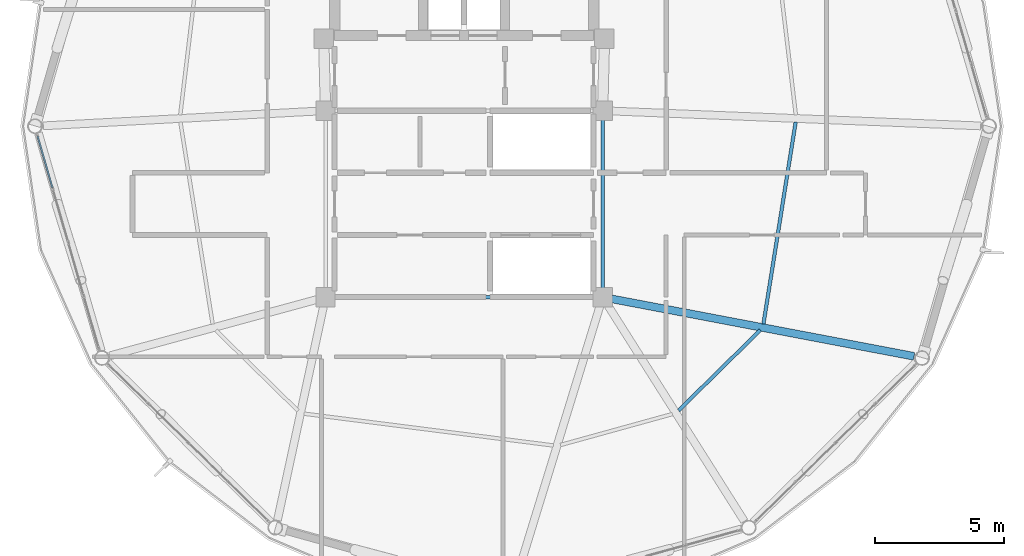
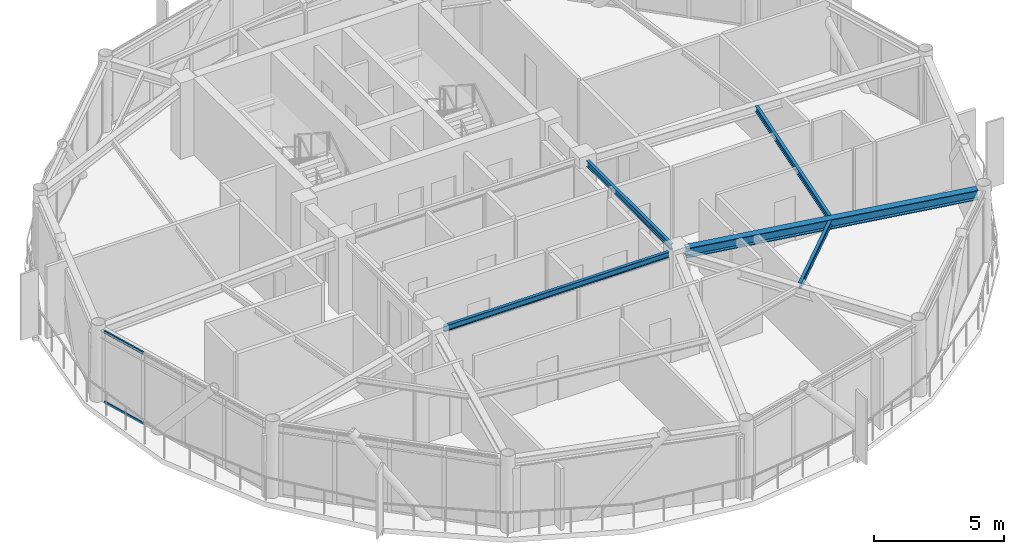
# One storey, part 9 of 25: 5 beams, 2 members, 1 element without a shape of its own.
"""IFC4 building model written with IfcOpenShell, lengths in metres."""

from ifc_helpers import new_model, si_unit, direction, frame, origin, origin_2d, place, context, subcontext, project, spatial, hollow_rectangle, i_section, extrude, material, layer, layer_set, material_profile, profile_set, type_object, element, aggregate, save


model = new_model("IFC4")

# Units and contexts
model_context = context("Model", 3, precision=1e-05, world=origin(), true_north=direction((0.0, 1.0)))
body_context = subcontext(model_context, "Body", "Model", "MODEL_VIEW")
ifc_project = project(units=[si_unit("LENGTHUNIT", "METRE"), si_unit("AREAUNIT", "SQUARE_METRE"), si_unit("VOLUMEUNIT", "CUBIC_METRE"), si_unit("PLANEANGLEUNIT", "RADIAN"), si_unit("MASSUNIT", "GRAM", prefix="KILO")], contexts=[model_context])

# Site, building, storey
site_placement = place(None, origin())
site = spatial("IfcSite", under=ifc_project, at=site_placement, CompositionType="ELEMENT")
building_placement = place(site_placement, origin())
building = spatial("IfcBuilding", under=site, at=building_placement, Name="Varnakorn Sky Granary", CompositionType="ELEMENT")
storey_placement = place(building_placement, frame((0.0, 0.0, 252.60009765625)))
storey = spatial("IfcBuildingStorey", under=building, at=storey_placement, Name="L64", CompositionType="ELEMENT", Elevation=252.60009765625)

# Beams
ifc_material_1 = material(Name="Steel S355JR", Category="steel")
ifc_material_profile_1 = material_profile(ifc_material_1, i_section(OverallWidth=0.300048828125, OverallDepth=0.449951171875, WebThickness=0.013916015625, FlangeThickness=0.02587890625, at=origin_2d()), Name="HE 450 B")
ifc_profile_set_1 = profile_set([ifc_material_profile_1], Name="Steel S355JR")
beam_type_1 = type_object("IfcBeamType", Name="BM-RAD-Z5", PredefinedType="BEAM", material=ifc_profile_set_1)
beam_1_placement = place(storey_placement, frame((8.69873046875, -6.666259765625, 3.135009765625), z_axis=(0.982408625355, -0.186743923138, 0.0), x_axis=(0.186743923138, 0.982408625355, 0.0)))
element("IfcBeam", 1, at=beam_1_placement, inside=storey, type_object=beam_type_1, Name="Radial Floor Girder RG12 L64", PredefinedType="BEAM", context=body_context, shape_type="SweptSolid", body=[
    extrude(i_section(OverallWidth=0.300048828125, OverallDepth=0.449951171875, WebThickness=0.013916015625, FlangeThickness=0.02587890625, at=origin_2d()), origin(), (0.0, 0.0, 1.0), 11.8837890625),
])
ifc_material_profile_2 = material_profile(ifc_material_1, i_section(OverallWidth=0.135009765625, OverallDepth=0.27001953125, WebThickness=0.006591796875, FlangeThickness=0.01025390625, at=origin_2d()), Name="IPE 270")
ifc_profile_set_2 = profile_set([ifc_material_profile_2], Name="Steel S355JR")
beam_type_2 = type_object("IfcBeamType", Name="BM-SEC-Z5", PredefinedType="BEAM", material=ifc_profile_set_2)
beam_2_placement = place(storey_placement, frame((11.2802734375, -10.97802734375, 3.224853515625), z_axis=(0.712956124253, 0.701208645761, 0.0), x_axis=(-0.701208645761, 0.712956124253, 0.0)))
element("IfcBeam", 2, at=beam_2_placement, inside=storey, type_object=beam_type_2, Name="Secondary Floor Chord Beam MSB11 L64", PredefinedType="BEAM", context=body_context, shape_type="SweptSolid", body=[
    extrude(i_section(OverallWidth=0.135009765625, OverallDepth=0.27001953125, WebThickness=0.006591796875, FlangeThickness=0.01025390625, at=origin_2d()), origin(), (0.0, 0.0, 1.0), 4.4267578125),
])
beam_3_placement = place(storey_placement, frame((14.55810546875, -7.6376953125, 3.224853515625), z_axis=(0.157651646246, 0.987494789068, 0.0), x_axis=(-0.987494789068, 0.157651646246, 0.0)))
element("IfcBeam", 3, at=beam_3_placement, inside=storey, type_object=beam_type_2, Name="Secondary Floor Chord Beam MSB12 L64", PredefinedType="BEAM", context=body_context, shape_type="SweptSolid", body=[
    extrude(i_section(OverallWidth=0.135009765625, OverallDepth=0.27001953125, WebThickness=0.006591796875, FlangeThickness=0.01025390625, at=origin_2d()), origin(), (0.0, 0.0, 1.0), 7.896240234375),
])
beam_4_placement = place(storey_placement, frame((8.35009765625, 0.2451171875, 3.224853515625), z_axis=(0.0, -1.0, 0.0), x_axis=(1.0, 0.0, 0.0)))
element("IfcBeam", 4, at=beam_4_placement, inside=storey, type_object=beam_type_2, Name="Core Spine Framing Beam 4 L64", PredefinedType="BEAM", context=body_context, shape_type="SweptSolid", body=[
    extrude(i_section(OverallWidth=0.135009765625, OverallDepth=0.27001953125, WebThickness=0.006591796875, FlangeThickness=0.01025390625, at=origin_2d()), origin(), (0.0, 0.0, 1.0), 6.490234375),
])
beam_5_placement = place(storey_placement, frame((-1.9951171875, -6.60009765625, 3.224853515625), z_axis=(1.0, 0.0, 0.0), x_axis=(0.0, 1.0, 0.0)))
element("IfcBeam", 5, at=beam_5_placement, inside=storey, type_object=beam_type_2, Name="Core Spine Framing Beam 6 L64", PredefinedType="BEAM", context=body_context, shape_type="SweptSolid", body=[
    extrude(i_section(OverallWidth=0.135009765625, OverallDepth=0.27001953125, WebThickness=0.006591796875, FlangeThickness=0.01025390625, at=origin_2d()), origin(), (0.0, 0.0, 1.0), 9.990234375),
])

# Curtain wall, members
ifc_material_2 = material(Name="Anodised Bronze Aluminium Alloy 6063-T6", Category="aluminium")
ifc_layer = layer(ifc_material_2, 0.159912109375, Name="Anodised Bronze Aluminium Alloy 6063-T6")
ifc_layer_set = layer_set([ifc_layer], Name="Anodised Bronze Aluminium Alloy 6063-T6")
curtain_wall_type = type_object("IfcCurtainWallType", Name="CW-OFF-1", PredefinedType="USERDEFINED", material=ifc_layer_set)
curtain_wall_placement = place(storey_placement, origin())
curtain_wall = element("IfcCurtainWall", 6, at=curtain_wall_placement, inside=storey, type_object=curtain_wall_type, Name="Unitised Curtain Wall CW6 CW-L64-B07", ObjectType="CURTAIN WALL", PredefinedType="USERDEFINED")
ifc_material_profile_3 = material_profile(ifc_material_2, hollow_rectangle(XDim=0.06494140625, YDim=0.1201171875, WallThickness=0.00341796875, at=origin_2d()), Name="ALU TRAN 65x120")
ifc_profile_set_3 = profile_set([ifc_material_profile_3], Name="Anodised Bronze Aluminium Alloy 6063-T6")
member_type = type_object("IfcMemberType", Name="CW-OFF-1-TRAN", PredefinedType="USERDEFINED", material=ifc_profile_set_3)
member_1_placement = place(storey_placement, frame((-12.892578125, -2.369873046875, 0.032470703125), z_axis=(-0.277503229464, 0.960724704396, 0.0), x_axis=(-0.960724704396, -0.277503229464, 0.0)))
member_1 = element("IfcMember", 7, at=member_1_placement, type_object=member_type, Name="CW6 transom 4.1", ObjectType="TRANSOM", PredefinedType="USERDEFINED", context=body_context, shape_type="SweptSolid", body=[
    extrude(hollow_rectangle(XDim=0.06494140625, YDim=0.1201171875, WallThickness=0.00341796875, at=origin_2d()), origin(), (0.0, 0.0, 1.0), 2.062255859375),
])
member_2_placement = place(storey_placement, frame((-12.892578125, -2.369873046875, 3.327392578125), z_axis=(-0.277503229464, 0.960724704396, 0.0), x_axis=(-0.960724704396, -0.277503229464, 0.0)))
member_2 = element("IfcMember", 8, at=member_2_placement, type_object=member_type, Name="CW6 transom 4.2", ObjectType="TRANSOM", PredefinedType="USERDEFINED", context=body_context, shape_type="SweptSolid", body=[
    extrude(hollow_rectangle(XDim=0.06494140625, YDim=0.1201171875, WallThickness=0.00341796875, at=origin_2d()), origin(), (0.0, 0.0, 1.0), 2.062255859375),
])
aggregate(curtain_wall, [member_1, member_2])

save(model, "model.ifc")
